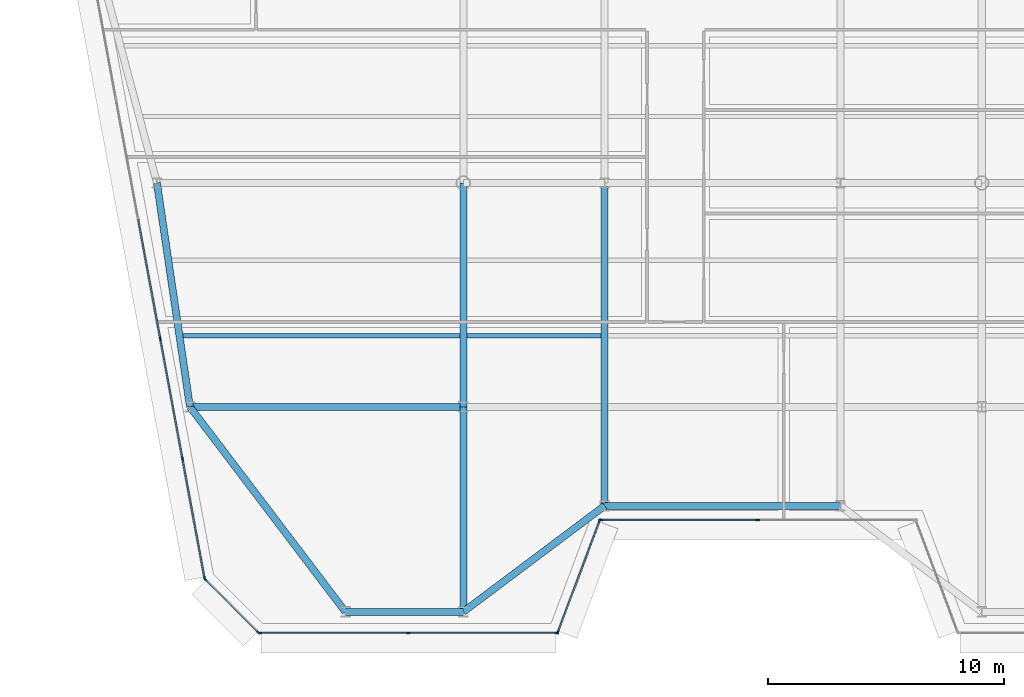
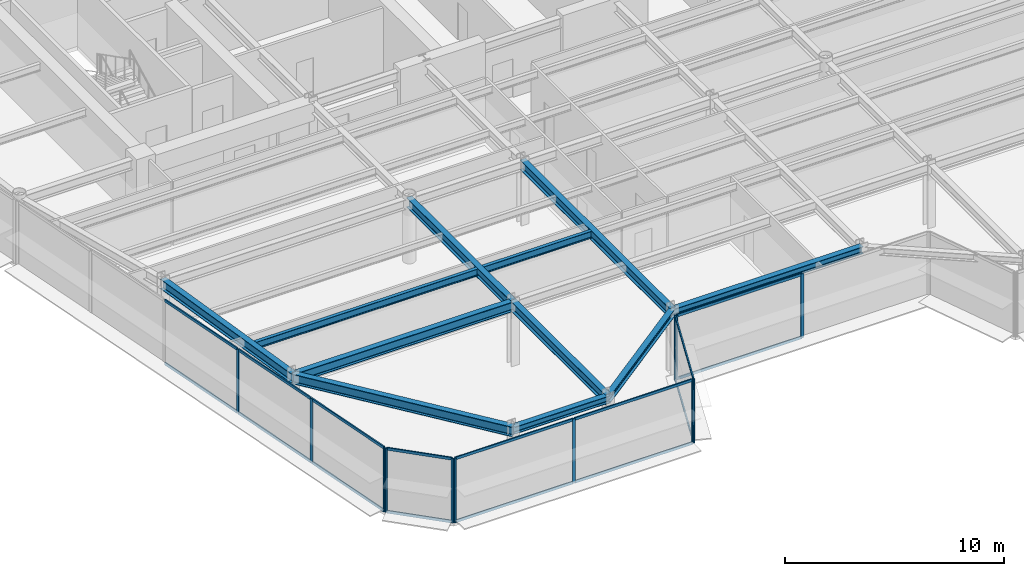
# One storey, part 2 of 16: 28 members, 11 beams, 5 elements without a shape of their own.
"""IFC4 building model written with IfcOpenShell, lengths in metres."""

from ifc_helpers import new_model, si_unit, direction, frame, origin, origin_2d, place, context, subcontext, project, spatial, rectangle, i_section, extrude, source, transform, mapped, material, layer, layer_set, material_profile, profile_set, type_object, element, aggregate, save


model = new_model("IFC4")

# Units and contexts
model_context = context("Model", 3, precision=1e-05, world=origin(), true_north=direction((0.0, 1.0)))
body_context = subcontext(model_context, "Body", "Model", "MODEL_VIEW")
ifc_project = project(units=[si_unit("LENGTHUNIT", "METRE"), si_unit("AREAUNIT", "SQUARE_METRE"), si_unit("VOLUMEUNIT", "CUBIC_METRE"), si_unit("PLANEANGLEUNIT", "RADIAN"), si_unit("MASSUNIT", "GRAM", prefix="KILO")], contexts=[model_context])

# Site, building, storey
site_placement = place(None, origin())
site = spatial("IfcSite", under=ifc_project, at=site_placement, CompositionType="ELEMENT")
building_placement = place(site_placement, origin())
building = spatial("IfcBuilding", under=site, at=building_placement, Name="Vaeldorn Concourse Tower", CompositionType="ELEMENT")
storey_placement = place(building_placement, frame((0.0, 0.0, 227.0)))
storey = spatial("IfcBuildingStorey", under=building, at=storey_placement, Name="L58", CompositionType="ELEMENT", Elevation=227.0)

# Beams
ifc_material_1 = material(Name="Steel S355", Category="steel")
ifc_material_profile_1 = material_profile(ifc_material_1, i_section(OverallWidth=0.300048828125, OverallDepth=0.39990234375, WebThickness=0.013427734375, FlangeThickness=0.02392578125, FilletRadius=0.027099609375, at=origin_2d()), Name="HEB 400")
ifc_profile_set_1 = profile_set([ifc_material_profile_1], Name="Steel S355")
beam_type_1 = type_object("IfcBeamType", Name="BM-SP-HEB400", PredefinedType="SPANDREL", material=ifc_profile_set_1)
shared_shape_1 = source(origin(), body_context, "Body", "SweptSolid", [
    extrude(i_section(OverallWidth=0.300048828125, OverallDepth=0.39990234375, WebThickness=0.013427734375, FlangeThickness=0.02392578125, FilletRadius=0.027099609375, at=origin_2d()), origin(), (0.0, 0.0, 1.0), 5.0),
])
beam_1_placement = place(storey_placement, frame((18.0, 9.300048828125, 3.3798828125), z_axis=(1.0, 0.0, 0.0), x_axis=(0.0, 1.0, 0.0)))
element("IfcBeam", 1, at=beam_1_placement, inside=storey, type_object=beam_type_1, Name="Beam BM-L58-C-SF1-C-SF2", PredefinedType="SPANDREL", context=body_context, shape_type="MappedRepresentation", body=[
    mapped(shared_shape_1, transform((0.0, 0.0, 0.0), scale=1.0)),
])
shared_shape_2 = source(origin(), body_context, "Body", "SweptSolid", [
    extrude(i_section(OverallWidth=0.300048828125, OverallDepth=0.39990234375, WebThickness=0.013427734375, FlangeThickness=0.02392578125, FilletRadius=0.027099609375, at=origin_2d()), origin(), (0.0, 0.0, 1.0), 7.5),
])
beam_2_placement = place(storey_placement, frame((23.0, 9.300048828125, 3.3798828125), z_axis=(0.8, 0.6, 0.0), x_axis=(-0.6, 0.8, 0.0)))
element("IfcBeam", 2, at=beam_2_placement, inside=storey, type_object=beam_type_1, Name="Beam BM-L58-C-SF2-C-SF3", PredefinedType="SPANDREL", context=body_context, shape_type="MappedRepresentation", body=[
    mapped(shared_shape_2, transform((0.0, 0.0, 0.0), scale=1.0)),
])
shared_shape_3 = source(origin(), body_context, "Body", "SweptSolid", [
    extrude(i_section(OverallWidth=0.300048828125, OverallDepth=0.39990234375, WebThickness=0.013427734375, FlangeThickness=0.02392578125, FilletRadius=0.027099609375, at=origin_2d()), origin(), (0.0, 0.0, 1.0), 10.0),
])
beam_3_placement = place(storey_placement, frame((29.0, 13.800048828125, 3.3798828125), z_axis=(1.0, 0.0, 0.0), x_axis=(0.0, 1.0, 0.0)))
element("IfcBeam", 3, at=beam_3_placement, inside=storey, type_object=beam_type_1, Name="Beam BM-L58-C-SF3-C-SF4", PredefinedType="SPANDREL", context=body_context, shape_type="MappedRepresentation", body=[
    mapped(shared_shape_3, transform((0.0, 0.0, 0.0), scale=1.0)),
])
ifc_material_profile_2 = material_profile(ifc_material_1, i_section(OverallWidth=0.179931640625, OverallDepth=0.39990234375, WebThickness=0.008544921875, FlangeThickness=0.013427734375, FilletRadius=0.02099609375, at=origin_2d()), Name="IPE 400")
ifc_profile_set_2 = profile_set([ifc_material_profile_2], Name="Steel S355")
beam_type_2 = type_object("IfcBeamType", Name="BM-JS-IPE400", PredefinedType="JOIST", material=ifc_profile_set_2)
shared_shape_4 = source(origin(), body_context, "Body", "SweptSolid", [
    extrude(i_section(OverallWidth=0.179931640625, OverallDepth=0.39990234375, WebThickness=0.008544921875, FlangeThickness=0.013427734375, FilletRadius=0.02099609375, at=origin_2d()), origin(), (0.0, 0.0, 1.0), 5.7001953125),
])
beam_4_placement = place(storey_placement, frame((23.14990234375, 21.02001953125, 3.3798828125), z_axis=(1.0, 0.0, 0.0), x_axis=(0.0, 1.0, 0.0)))
element("IfcBeam", 4, at=beam_4_placement, inside=storey, type_object=beam_type_2, Name="Beam JS-L58-W2-210", PredefinedType="JOIST", context=body_context, shape_type="MappedRepresentation", body=[
    mapped(shared_shape_4, transform((0.0, 0.0, 0.0), scale=1.0)),
])
shared_shape_5 = source(origin(), body_context, "Body", "SweptSolid", [
    extrude(i_section(OverallWidth=0.179931640625, OverallDepth=0.39990234375, WebThickness=0.008544921875, FlangeThickness=0.013427734375, FilletRadius=0.02099609375, at=origin_2d()), origin(), (0.0, 0.0, 1.0), 11.7451171875),
])
beam_5_placement = place(storey_placement, frame((11.10498046875, 21.02001953125, 3.3798828125), z_axis=(1.0, 0.0, 0.0), x_axis=(0.0, 1.0, 0.0)))
element("IfcBeam", 5, at=beam_5_placement, inside=storey, type_object=beam_type_2, Name="Beam JS-L58-W1-210", PredefinedType="JOIST", context=body_context, shape_type="MappedRepresentation", body=[
    mapped(shared_shape_5, transform((0.0, 0.0, 0.0), scale=1.0)),
])
ifc_material_profile_3 = material_profile(ifc_material_1, i_section(OverallWidth=0.300048828125, OverallDepth=0.550048828125, WebThickness=0.014892578125, FlangeThickness=0.029052734375, FilletRadius=0.027099609375, at=origin_2d()), Name="HEB 550")
ifc_profile_set_3 = profile_set([ifc_material_profile_3], Name="Steel S355")
beam_type_3 = type_object("IfcBeamType", Name="BM-PG-HEB550", PredefinedType="BEAM", material=ifc_profile_set_3)
shared_shape_6 = source(origin(), body_context, "Body", "SweptSolid", [
    extrude(i_section(OverallWidth=0.300048828125, OverallDepth=0.550048828125, WebThickness=0.014892578125, FlangeThickness=0.029052734375, FilletRadius=0.027099609375, at=origin_2d()), origin(), (0.0, 0.0, 1.0), 9.6025390625),
])
beam_6_placement = place(storey_placement, frame((10.0, 27.5, 3.304931640625), z_axis=(0.145783835977, -0.989316467652, 0.0), x_axis=(0.989316467652, 0.145783835977, 0.0)))
element("IfcBeam", 6, at=beam_6_placement, inside=storey, type_object=beam_type_3, Name="Beam BM-L58-C-FLW1-C-FLW2", PredefinedType="BEAM", context=body_context, shape_type="MappedRepresentation", body=[
    mapped(shared_shape_6, transform((0.0, 0.0, 0.0), scale=1.0)),
])
shared_shape_7 = source(origin(), body_context, "Body", "SweptSolid", [
    extrude(i_section(OverallWidth=0.300048828125, OverallDepth=0.550048828125, WebThickness=0.014892578125, FlangeThickness=0.029052734375, FilletRadius=0.027099609375, at=origin_2d()), origin(), (0.0, 0.0, 1.0), 11.60009765625),
])
beam_7_placement = place(storey_placement, frame((11.39990234375, 18.0, 3.304931640625), z_axis=(1.0, 0.0, 0.0), x_axis=(0.0, 1.0, 0.0)))
element("IfcBeam", 7, at=beam_7_placement, inside=storey, type_object=beam_type_3, Name="Beam BM-L58-C-FLW2-C-TW5", PredefinedType="BEAM", context=body_context, shape_type="MappedRepresentation", body=[
    mapped(shared_shape_7, transform((0.0, 0.0, 0.0), scale=1.0)),
])
shared_shape_8 = source(origin(), body_context, "Body", "SweptSolid", [
    extrude(i_section(OverallWidth=0.300048828125, OverallDepth=0.550048828125, WebThickness=0.014892578125, FlangeThickness=0.029052734375, FilletRadius=0.027099609375, at=origin_2d()), origin(), (0.0, 0.0, 1.0), 9.5),
])
beam_8_placement = place(storey_placement, frame((23.0, 18.0, 3.304931640625), z_axis=(0.0, 1.0, 0.0), x_axis=(-1.0, 0.0, 0.0)))
element("IfcBeam", 8, at=beam_8_placement, inside=storey, type_object=beam_type_3, Name="Beam BM-L58-C-TW5-C-TW1", PredefinedType="BEAM", context=body_context, shape_type="MappedRepresentation", body=[
    mapped(shared_shape_8, transform((0.0, 0.0, 0.0), scale=1.0)),
])
shared_shape_9 = source(origin(), body_context, "Body", "SweptSolid", [
    extrude(i_section(OverallWidth=0.300048828125, OverallDepth=0.550048828125, WebThickness=0.014892578125, FlangeThickness=0.029052734375, FilletRadius=0.027099609375, at=origin_2d()), origin(), (0.0, 0.0, 1.0), 10.920166015625),
])
beam_9_placement = place(storey_placement, frame((18.0, 9.300048828125, 3.304931640625), z_axis=(-0.604394310451, 0.796685331542, 0.0), x_axis=(-0.796685331542, -0.604394310451, 0.0)))
element("IfcBeam", 9, at=beam_9_placement, inside=storey, type_object=beam_type_3, Name="Beam BM-L58-C-SF1-C-FLW2", PredefinedType="BEAM", context=body_context, shape_type="MappedRepresentation", body=[
    mapped(shared_shape_9, transform((0.0, 0.0, 0.0), scale=1.0)),
])
shared_shape_10 = source(origin(), body_context, "Body", "SweptSolid", [
    extrude(i_section(OverallWidth=0.300048828125, OverallDepth=0.550048828125, WebThickness=0.014892578125, FlangeThickness=0.029052734375, FilletRadius=0.027099609375, at=origin_2d()), origin(), (0.0, 0.0, 1.0), 8.699951171875),
])
beam_10_placement = place(storey_placement, frame((23.0, 9.300048828125, 3.304931640625), z_axis=(0.0, 1.0, 0.0), x_axis=(-1.0, 0.0, 0.0)))
element("IfcBeam", 10, at=beam_10_placement, inside=storey, type_object=beam_type_3, Name="Beam BM-L58-C-SF2-C-TW5", PredefinedType="BEAM", context=body_context, shape_type="MappedRepresentation", body=[
    mapped(shared_shape_10, transform((0.0, 0.0, 0.0), scale=1.0)),
])
shared_shape_11 = source(origin(), body_context, "Body", "SweptSolid", [
    extrude(i_section(OverallWidth=0.300048828125, OverallDepth=0.550048828125, WebThickness=0.014892578125, FlangeThickness=0.029052734375, FilletRadius=0.027099609375, at=origin_2d()), origin(), (0.0, 0.0, 1.0), 13.699951171875),
])
beam_11_placement = place(storey_placement, frame((29.0, 13.800048828125, 3.304931640625), z_axis=(0.0, 1.0, 0.0), x_axis=(-1.0, 0.0, 0.0)))
element("IfcBeam", 11, at=beam_11_placement, inside=storey, type_object=beam_type_3, Name="Beam BM-L58-C-SF3-C-TW2", PredefinedType="BEAM", context=body_context, shape_type="MappedRepresentation", body=[
    mapped(shared_shape_11, transform((0.0, 0.0, 0.0), scale=1.0)),
])

# Curtain wall, members
ifc_material_2 = material(Name="Anodised Bronze Aluminium", Category="aluminium")
ifc_layer = layer(ifc_material_2, 0.179931640625)
ifc_layer_set = layer_set([ifc_layer], Name="Anodised Bronze Aluminium")
curtain_wall_type = type_object("IfcCurtainWallType", Name="CW-SYS-05", PredefinedType="NOTDEFINED", material=ifc_layer_set)
curtain_wall_1_placement = place(storey_placement, origin())
curtain_wall_1 = element("IfcCurtainWall", 12, at=curtain_wall_1_placement, inside=storey, type_object=curtain_wall_type, Name="Unitised Curtain Wall CW-L58-E02-1", PredefinedType="NOTDEFINED")
ifc_material_profile_4 = material_profile(ifc_material_2, rectangle(XDim=0.06494140625, YDim=0.14990234375, at=origin_2d()), Name="CWT 65x150")
ifc_profile_set_4 = profile_set([ifc_material_profile_4], Name="Anodised Bronze Aluminium")
member_type_1 = type_object("IfcMemberType", Name="CWT-BRONZE-150", PredefinedType="USERDEFINED", material=ifc_profile_set_4)
shared_shape_12 = source(origin(), body_context, "Body", "SweptSolid", [
    extrude(rectangle(XDim=0.06494140625, YDim=0.14990234375, at=origin_2d()), origin(), (0.0, 0.0, 1.0), 4.996337890625),
])
member_1_placement = place(storey_placement, frame((27.022705078125, 8.4609375, 0.032470703125), z_axis=(0.351134151405, 0.936325161318, 0.0), x_axis=(-0.936325161318, 0.351134151405, 0.0)))
member_1 = element("IfcMember", 13, at=member_1_placement, type_object=member_type_1, Name="CW-05 transom 1.1", ObjectType="TRANSOM", PredefinedType="USERDEFINED", context=body_context, shape_type="MappedRepresentation", body=[
    mapped(shared_shape_12, transform((0.0, 0.0, 0.0), scale=1.0)),
])
member_2_placement = place(storey_placement, frame((27.022705078125, 8.4609375, 3.547607421875), z_axis=(0.351134151405, 0.936325161318, 0.0), x_axis=(-0.936325161318, 0.351134151405, 0.0)))
member_2 = element("IfcMember", 14, at=member_2_placement, type_object=member_type_1, Name="CW-05 transom 1.2", ObjectType="TRANSOM", PredefinedType="USERDEFINED", context=body_context, shape_type="MappedRepresentation", body=[
    mapped(shared_shape_12, transform((0.0, 0.0, 0.0), scale=1.0)),
])

curtain_wall_2_placement = place(storey_placement, origin())
curtain_wall_2 = element("IfcCurtainWall", 15, at=curtain_wall_2_placement, inside=storey, type_object=curtain_wall_type, Name="Unitised Curtain Wall CW-L58-E03-1", PredefinedType="NOTDEFINED")
shared_shape_13 = source(origin(), body_context, "Body", "SweptSolid", [
    extrude(rectangle(XDim=0.06494140625, YDim=0.14990234375, at=origin_2d()), origin(), (0.0, 0.0, 1.0), 6.6025390625),
])
member_3_placement = place(storey_placement, frame((28.864990234375, 13.199951171875, 0.032470703125), z_axis=(1.0, 0.0, 0.0), x_axis=(0.0, 1.0, 0.0)))
member_3 = element("IfcMember", 16, at=member_3_placement, type_object=member_type_1, Name="CW-05 transom 1.1", ObjectType="TRANSOM", PredefinedType="USERDEFINED", context=body_context, shape_type="MappedRepresentation", body=[
    mapped(shared_shape_13, transform((0.0, 0.0, 0.0), scale=1.0)),
])
member_4_placement = place(storey_placement, frame((28.864990234375, 13.199951171875, 3.547607421875), z_axis=(1.0, 0.0, 0.0), x_axis=(0.0, 1.0, 0.0)))
member_4 = element("IfcMember", 17, at=member_4_placement, type_object=member_type_1, Name="CW-05 transom 1.2", ObjectType="TRANSOM", PredefinedType="USERDEFINED", context=body_context, shape_type="MappedRepresentation", body=[
    mapped(shared_shape_13, transform((0.0, 0.0, 0.0), scale=1.0)),
])

curtain_wall_3_placement = place(storey_placement, origin())
curtain_wall_3 = element("IfcCurtainWall", 18, at=curtain_wall_3_placement, inside=storey, type_object=curtain_wall_type, Name="Unitised Curtain Wall CW-L58-E12-1", PredefinedType="NOTDEFINED")
shared_shape_14 = source(origin(), body_context, "Body", "SweptSolid", [
    extrude(rectangle(XDim=0.06494140625, YDim=0.14990234375, at=origin_2d()), origin(), (0.0, 0.0, 1.0), 3.12255859375),
])
member_5_placement = place(storey_placement, frame((12.074951171875, 10.654052734375, 0.032470703125), z_axis=(0.707106781187, -0.707106781187, 0.0), x_axis=(0.707106781187, 0.707106781187, 0.0)))
member_5 = element("IfcMember", 19, at=member_5_placement, type_object=member_type_1, Name="CW-05 transom 1.1", ObjectType="TRANSOM", PredefinedType="USERDEFINED", context=body_context, shape_type="MappedRepresentation", body=[
    mapped(shared_shape_14, transform((0.0, 0.0, 0.0), scale=1.0)),
])
member_6_placement = place(storey_placement, frame((12.074951171875, 10.654052734375, 3.547607421875), z_axis=(0.707106781187, -0.707106781187, 0.0), x_axis=(0.707106781187, 0.707106781187, 0.0)))
member_6 = element("IfcMember", 20, at=member_6_placement, type_object=member_type_1, Name="CW-05 transom 1.2", ObjectType="TRANSOM", PredefinedType="USERDEFINED", context=body_context, shape_type="MappedRepresentation", body=[
    mapped(shared_shape_14, transform((0.0, 0.0, 0.0), scale=1.0)),
])

curtain_wall_4_placement = place(storey_placement, origin())
curtain_wall_4 = element("IfcCurtainWall", 21, at=curtain_wall_4_placement, inside=storey, type_object=curtain_wall_type, Name="Unitised Curtain Wall CW-L58-E01-1", PredefinedType="NOTDEFINED")
ifc_material_profile_5 = material_profile(ifc_material_2, rectangle(XDim=0.06494140625, YDim=0.169921875, at=origin_2d()), Name="CWM 65x170")
ifc_profile_set_5 = profile_set([ifc_material_profile_5], Name="Anodised Bronze Aluminium")
member_type_2 = type_object("IfcMemberType", Name="CWM-BRONZE-170", PredefinedType="MULLION", material=ifc_profile_set_5)
shared_shape_15 = source(origin(), body_context, "Body", "SweptSolid", [
    extrude(rectangle(XDim=0.06494140625, YDim=0.169921875, at=origin_2d()), origin(), (0.0, 0.0, 1.0), 3.580078125),
])
member_7_placement = place(storey_placement, frame((14.361572265625, 8.39990234375, 0.0), z_axis=(0.0, 0.0, 1.0), x_axis=(0.0, 1.0, 0.0)))
member_7 = element("IfcMember", 22, at=member_7_placement, type_object=member_type_2, Name="CW-05 mullion 1", PredefinedType="MULLION", context=body_context, shape_type="MappedRepresentation", body=[
    mapped(shared_shape_15, transform((0.0, 0.0, 0.0), scale=1.0)),
])
member_8_placement = place(storey_placement, frame((20.66455078125, 8.39990234375, 0.0), z_axis=(0.0, 0.0, 1.0), x_axis=(0.0, 1.0, 0.0)))
member_8 = element("IfcMember", 23, at=member_8_placement, type_object=member_type_2, Name="CW-05 mullion 2", PredefinedType="MULLION", context=body_context, shape_type="MappedRepresentation", body=[
    mapped(shared_shape_15, transform((0.0, 0.0, 0.0), scale=1.0)),
])
member_9_placement = place(storey_placement, frame((26.967529296875, 8.39990234375, 0.0), z_axis=(0.0, 0.0, 1.0), x_axis=(0.0, 1.0, 0.0)))
member_9 = element("IfcMember", 24, at=member_9_placement, type_object=member_type_2, Name="CW-05 mullion 3", PredefinedType="MULLION", context=body_context, shape_type="MappedRepresentation", body=[
    mapped(shared_shape_15, transform((0.0, 0.0, 0.0), scale=1.0)),
])

# Member
member_10_placement = place(storey_placement, frame((27.011474609375, 8.430419921875, 0.0), z_axis=(0.0, 0.0, 1.0), x_axis=(-0.936329177566, 0.351123441595, 0.0)))
member_10 = element("IfcMember", 25, at=member_10_placement, type_object=member_type_2, Name="CW-05 mullion 1", PredefinedType="MULLION", context=body_context, shape_type="MappedRepresentation", body=[
    mapped(shared_shape_15, transform((0.0, 0.0, 0.0), scale=1.0)),
])

member_11_placement = place(storey_placement, frame((28.78857421875, 13.169677734375, 0.0), z_axis=(0.0, 0.0, 1.0), x_axis=(-0.936329177566, 0.351123441595, 0.0)))
member_11 = element("IfcMember", 26, at=member_11_placement, type_object=member_type_2, Name="CW-05 mullion 2", PredefinedType="MULLION", context=body_context, shape_type="MappedRepresentation", body=[
    mapped(shared_shape_15, transform((0.0, 0.0, 0.0), scale=1.0)),
])

aggregate(curtain_wall_1, [member_10, member_11, member_1, member_2])

member_12_placement = place(storey_placement, frame((28.83251953125, 13.199951171875, 0.0), z_axis=(0.0, 0.0, 1.0), x_axis=(0.0, 1.0, 0.0)))
member_12 = element("IfcMember", 27, at=member_12_placement, type_object=member_type_2, Name="CW-05 mullion 1", PredefinedType="MULLION", context=body_context, shape_type="MappedRepresentation", body=[
    mapped(shared_shape_15, transform((0.0, 0.0, 0.0), scale=1.0)),
])

member_13_placement = place(storey_placement, frame((35.5, 13.199951171875, 0.0), z_axis=(0.0, 0.0, 1.0), x_axis=(0.0, 1.0, 0.0)))
member_13 = element("IfcMember", 28, at=member_13_placement, type_object=member_type_2, Name="CW-05 mullion 2", PredefinedType="MULLION", context=body_context, shape_type="MappedRepresentation", body=[
    mapped(shared_shape_15, transform((0.0, 0.0, 0.0), scale=1.0)),
])

aggregate(curtain_wall_2, [member_12, member_13, member_3, member_4])

# Curtain wall, members
curtain_wall_5_placement = place(storey_placement, origin())
curtain_wall_5 = element("IfcCurtainWall", 29, at=curtain_wall_5_placement, inside=storey, type_object=curtain_wall_type, Name="Unitised Curtain Wall CW-L58-E11-2", PredefinedType="NOTDEFINED")
member_14_placement = place(storey_placement, frame((10.143310546875, 20.89404296875, 0.0), z_axis=(0.0, 0.0, 1.0), x_axis=(0.98331890588, 0.181889882456, 0.0)))
member_14 = element("IfcMember", 30, at=member_14_placement, type_object=member_type_2, Name="CW-05 mullion 4", PredefinedType="MULLION", context=body_context, shape_type="MappedRepresentation", body=[
    mapped(shared_shape_15, transform((0.0, 0.0, 0.0), scale=1.0)),
])
member_15_placement = place(storey_placement, frame((11.086181640625, 15.797119140625, 0.0), z_axis=(0.0, 0.0, 1.0), x_axis=(0.98331890588, 0.181889882456, 0.0)))
member_15 = element("IfcMember", 31, at=member_15_placement, type_object=member_type_2, Name="CW-05 mullion 5", PredefinedType="MULLION", context=body_context, shape_type="MappedRepresentation", body=[
    mapped(shared_shape_15, transform((0.0, 0.0, 0.0), scale=1.0)),
])
member_16_placement = place(storey_placement, frame((12.023193359375, 10.73193359375, 0.0), z_axis=(0.0, 0.0, 1.0), x_axis=(0.98331890588, 0.181889882456, 0.0)))
member_16 = element("IfcMember", 32, at=member_16_placement, type_object=member_type_2, Name="CW-05 mullion 6", PredefinedType="MULLION", context=body_context, shape_type="MappedRepresentation", body=[
    mapped(shared_shape_15, transform((0.0, 0.0, 0.0), scale=1.0)),
])

# Member
member_17_placement = place(storey_placement, frame((12.052001953125, 10.677001953125, 0.0), z_axis=(0.0, 0.0, 1.0), x_axis=(0.707106781187, 0.707106781187, 0.0)))
member_17 = element("IfcMember", 33, at=member_17_placement, type_object=member_type_2, Name="CW-05 mullion 1", PredefinedType="MULLION", context=body_context, shape_type="MappedRepresentation", body=[
    mapped(shared_shape_15, transform((0.0, 0.0, 0.0), scale=1.0)),
])

member_18_placement = place(storey_placement, frame((14.305908203125, 8.423095703125, 0.0), z_axis=(0.0, 0.0, 1.0), x_axis=(0.707106781187, 0.707106781187, 0.0)))
member_18 = element("IfcMember", 34, at=member_18_placement, type_object=member_type_2, Name="CW-05 mullion 2", PredefinedType="MULLION", context=body_context, shape_type="MappedRepresentation", body=[
    mapped(shared_shape_15, transform((0.0, 0.0, 0.0), scale=1.0)),
])

aggregate(curtain_wall_3, [member_17, member_18, member_5, member_6])

shared_shape_16 = source(origin(), body_context, "Body", "SweptSolid", [
    extrude(rectangle(XDim=0.06494140625, YDim=0.14990234375, at=origin_2d()), origin(), (0.0, 0.0, 1.0), 6.238037109375),
])
member_19_placement = place(storey_placement, frame((14.39404296875, 8.39990234375, 0.032470703125), z_axis=(1.0, 0.0, 0.0), x_axis=(0.0, 1.0, 0.0)))
member_19 = element("IfcMember", 35, at=member_19_placement, type_object=member_type_1, Name="CW-05 transom 1.1", ObjectType="TRANSOM", PredefinedType="USERDEFINED", context=body_context, shape_type="MappedRepresentation", body=[
    mapped(shared_shape_16, transform((0.0, 0.0, 0.0), scale=1.0)),
])

member_20_placement = place(storey_placement, frame((14.39404296875, 8.39990234375, 3.547607421875), z_axis=(1.0, 0.0, 0.0), x_axis=(0.0, 1.0, 0.0)))
member_20 = element("IfcMember", 36, at=member_20_placement, type_object=member_type_1, Name="CW-05 transom 1.2", ObjectType="TRANSOM", PredefinedType="USERDEFINED", context=body_context, shape_type="MappedRepresentation", body=[
    mapped(shared_shape_16, transform((0.0, 0.0, 0.0), scale=1.0)),
])

member_21_placement = place(storey_placement, frame((20.697021484375, 8.39990234375, 0.032470703125), z_axis=(1.0, 0.0, 0.0), x_axis=(0.0, 1.0, 0.0)))
member_21 = element("IfcMember", 37, at=member_21_placement, type_object=member_type_1, Name="CW-05 transom 2.1", ObjectType="TRANSOM", PredefinedType="USERDEFINED", context=body_context, shape_type="MappedRepresentation", body=[
    mapped(shared_shape_16, transform((0.0, 0.0, 0.0), scale=1.0)),
])

member_22_placement = place(storey_placement, frame((20.697021484375, 8.39990234375, 3.547607421875), z_axis=(1.0, 0.0, 0.0), x_axis=(0.0, 1.0, 0.0)))
member_22 = element("IfcMember", 38, at=member_22_placement, type_object=member_type_1, Name="CW-05 transom 2.2", ObjectType="TRANSOM", PredefinedType="USERDEFINED", context=body_context, shape_type="MappedRepresentation", body=[
    mapped(shared_shape_16, transform((0.0, 0.0, 0.0), scale=1.0)),
])

aggregate(curtain_wall_4, [member_7, member_8, member_9, member_19, member_20, member_21, member_22])

shared_shape_17 = source(origin(), body_context, "Body", "SweptSolid", [
    extrude(rectangle(XDim=0.06494140625, YDim=0.14990234375, at=origin_2d()), origin(), (0.0, 0.0, 1.0), 5.0859375),
])
member_23_placement = place(storey_placement, frame((11.092041015625, 15.76513671875, 0.032470703125), z_axis=(0.181879549724, -0.983320817125, 0.0), x_axis=(0.983320817125, 0.181879549724, 0.0)))
member_23 = element("IfcMember", 39, at=member_23_placement, type_object=member_type_1, Name="CW-05 transom 5.1", ObjectType="TRANSOM", PredefinedType="USERDEFINED", context=body_context, shape_type="MappedRepresentation", body=[
    mapped(shared_shape_17, transform((0.0, 0.0, 0.0), scale=1.0)),
])

member_24_placement = place(storey_placement, frame((11.092041015625, 15.76513671875, 3.547607421875), z_axis=(0.181879549724, -0.983320817125, 0.0), x_axis=(0.983320817125, 0.181879549724, 0.0)))
member_24 = element("IfcMember", 40, at=member_24_placement, type_object=member_type_1, Name="CW-05 transom 5.2", ObjectType="TRANSOM", PredefinedType="USERDEFINED", context=body_context, shape_type="MappedRepresentation", body=[
    mapped(shared_shape_17, transform((0.0, 0.0, 0.0), scale=1.0)),
])

shared_shape_18 = source(origin(), body_context, "Body", "SweptSolid", [
    extrude(rectangle(XDim=0.06494140625, YDim=0.14990234375, at=origin_2d()), origin(), (0.0, 0.0, 1.0), 5.11865234375),
])
member_25_placement = place(storey_placement, frame((10.149169921875, 20.862060546875, 0.032470703125), z_axis=(0.181915044341, -0.983314251215, 0.0), x_axis=(0.983314251215, 0.181915044341, 0.0)))
member_25 = element("IfcMember", 41, at=member_25_placement, type_object=member_type_1, Name="CW-05 transom 4.1", ObjectType="TRANSOM", PredefinedType="USERDEFINED", context=body_context, shape_type="MappedRepresentation", body=[
    mapped(shared_shape_18, transform((0.0, 0.0, 0.0), scale=1.0)),
])

member_26_placement = place(storey_placement, frame((10.149169921875, 20.862060546875, 3.547607421875), z_axis=(0.181915044341, -0.983314251215, 0.0), x_axis=(0.983314251215, 0.181915044341, 0.0)))
member_26 = element("IfcMember", 42, at=member_26_placement, type_object=member_type_1, Name="CW-05 transom 4.2", ObjectType="TRANSOM", PredefinedType="USERDEFINED", context=body_context, shape_type="MappedRepresentation", body=[
    mapped(shared_shape_18, transform((0.0, 0.0, 0.0), scale=1.0)),
])

shared_shape_19 = source(origin(), body_context, "Body", "SweptSolid", [
    extrude(rectangle(XDim=0.06494140625, YDim=0.14990234375, at=origin_2d()), origin(), (0.0, 0.0, 1.0), 5.118408203125),
])
member_27_placement = place(storey_placement, frame((9.20654296875, 25.958984375, 0.032470703125), z_axis=(0.181877455854, -0.983321204415, 0.0), x_axis=(0.983321204415, 0.181877455854, 0.0)))
member_27 = element("IfcMember", 43, at=member_27_placement, type_object=member_type_1, Name="CW-05 transom 3.1", ObjectType="TRANSOM", PredefinedType="USERDEFINED", context=body_context, shape_type="MappedRepresentation", body=[
    mapped(shared_shape_19, transform((0.0, 0.0, 0.0), scale=1.0)),
])

member_28_placement = place(storey_placement, frame((9.20654296875, 25.958984375, 3.547607421875), z_axis=(0.181877455854, -0.983321204415, 0.0), x_axis=(0.983321204415, 0.181877455854, 0.0)))
member_28 = element("IfcMember", 44, at=member_28_placement, type_object=member_type_1, Name="CW-05 transom 3.2", ObjectType="TRANSOM", PredefinedType="USERDEFINED", context=body_context, shape_type="MappedRepresentation", body=[
    mapped(shared_shape_19, transform((0.0, 0.0, 0.0), scale=1.0)),
])

aggregate(curtain_wall_5, [member_14, member_15, member_16, member_27, member_28, member_25, member_26, member_23, member_24])

save(model, "model.ifc")
